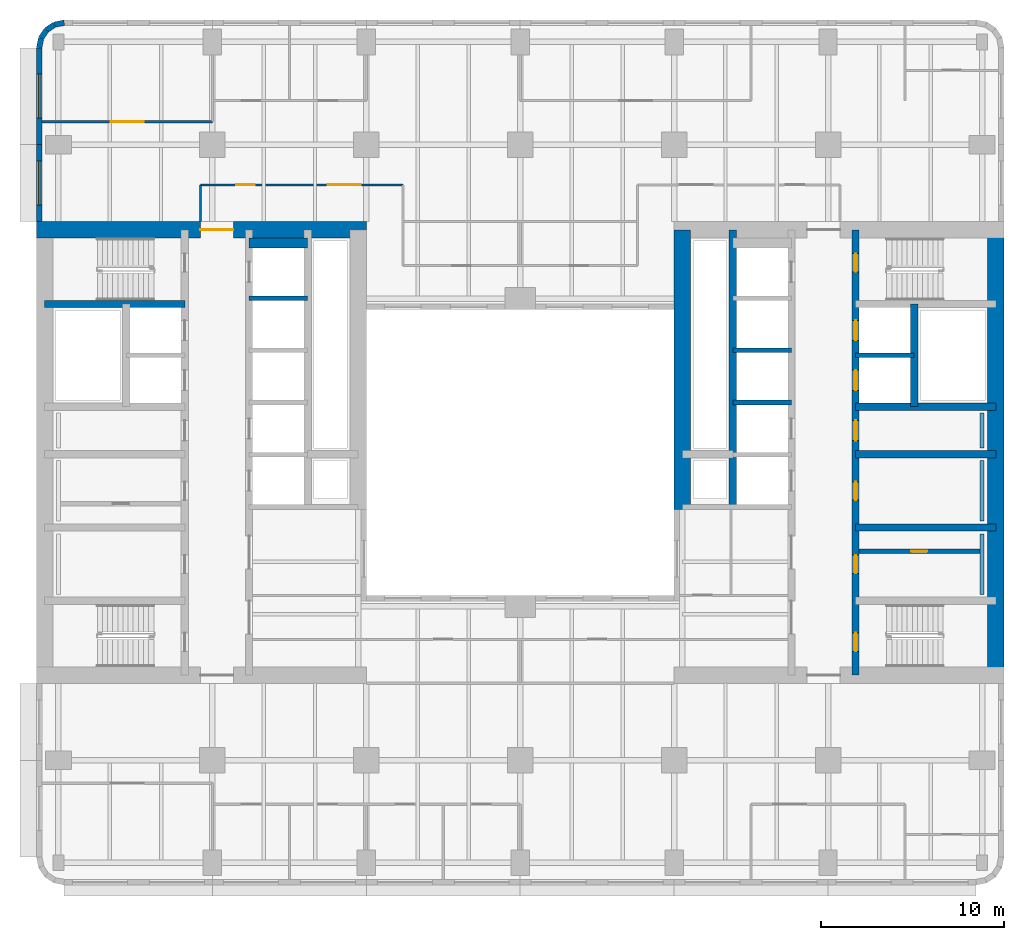
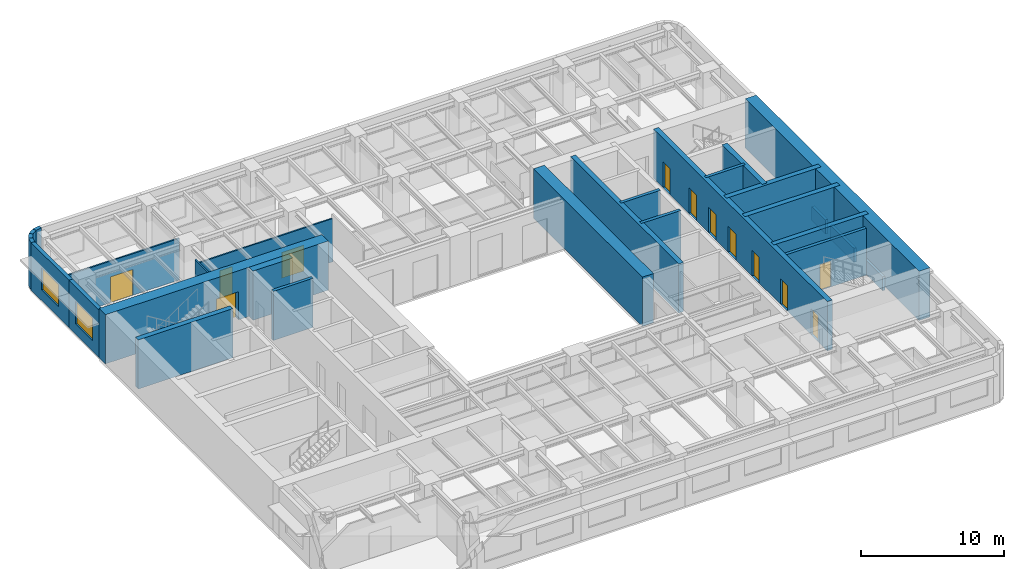
# One storey, part 6 of 11: 28 walls, 12 doors, 2 windows, 14 openings.
"""IFC4 building model written with IfcOpenShell, lengths in metres."""

from ifc_helpers import new_model, si_unit, direction, frame, frame_2d, origin, place, context, subcontext, project, spatial, rectangle, extrude, material, layer, layer_set, type_object, element, fill, save


model = new_model("IFC4")

# Units and contexts
model_context = context("Model", 3, precision=1e-05, world=origin(), true_north=direction((0.0, 1.0)))
body_context = subcontext(model_context, "Body", "Model", "MODEL_VIEW")
ifc_project = project(units=[si_unit("LENGTHUNIT", "METRE"), si_unit("AREAUNIT", "SQUARE_METRE"), si_unit("VOLUMEUNIT", "CUBIC_METRE"), si_unit("PLANEANGLEUNIT", "RADIAN"), si_unit("MASSUNIT", "GRAM", prefix="KILO")], contexts=[model_context])

# Site, building, storey
site_placement = place(None, origin())
site = spatial("IfcSite", under=ifc_project, at=site_placement, CompositionType="ELEMENT")
building_placement = place(site_placement, origin())
building = spatial("IfcBuilding", under=site, at=building_placement, Name="Claustro Exchange Tower", CompositionType="ELEMENT")
storey_placement = place(building_placement, frame((0.0, 0.0, 113.39990234375)))
storey = spatial("IfcBuildingStorey", under=building, at=storey_placement, Name="L25", CompositionType="ELEMENT", Elevation=113.39990234375)

# Wall, opening, door
ifc_material_1 = material(Name="Laminated glass in aluminium frame", Category="aluminium")
ifc_layer_1 = layer(ifc_material_1, 0.1201171875)
ifc_layer_set_1 = layer_set([ifc_layer_1], Name="Laminated glass in aluminium frame")
wall_type_1 = type_object("IfcWallType", Name="P2 120 glazed partition", PredefinedType="PARTITIONING", material=ifc_layer_set_1)
wall_1_placement = place(storey_placement, frame((-0.902099609375, 43.25, 0.0), z_axis=(0.0, 0.0, 1.0), x_axis=(1.0, 0.0, 0.0)))
wall_1 = element("IfcWall", 1, at=wall_1_placement, inside=storey, type_object=wall_type_1, Name="Partition P2 L25", PredefinedType="PARTITIONING", context=body_context, shape_type="SweptSolid", body=[
    extrude(rectangle(XDim=9.302001953125, YDim=0.1201171875, at=frame_2d((4.65087890625, 0.0))), origin(), (0.0, 0.0, 1.0), 3.550048828125),
])
opening_1_placement = place(wall_1_placement, frame((3.751953125, 0.0, 0.0)))
opening_1 = element("IfcOpeningElement", 2, at=opening_1_placement, cuts=wall_1, Name="Opening D2", PredefinedType="OPENING", context=body_context, shape_type="SweptSolid", body=[
    extrude(rectangle(XDim=1.800048828125, YDim=2.199951171875, at=frame_2d((0.89990234375, 1.10009765625))), frame((0.0, 0.070068359375, 0.0), z_axis=(0.0, -1.0, 0.0), x_axis=(1.0, 0.0, 0.0)), (0.0, 0.0, 1.0), 0.14013671875),
])
ifc_material_2 = material(Name="Timber door, oak veneer", Category="wood")
door_type_1 = type_object("IfcDoorType", Name="D2 1800 x 2200 double door", OperationType="DOUBLE_DOOR_SINGLE_SWING", PredefinedType="DOOR", material=ifc_material_2)
door_1_placement = place(opening_1_placement, origin())
door_1 = element("IfcDoor", 3, at=door_1_placement, inside=storey, type_object=door_type_1, Name="Double door D2 L25", OperationType="DOUBLE_DOOR_SINGLE_SWING", OverallHeight=2.199951171875, OverallWidth=1.800048828125, PredefinedType="DOOR", context=body_context, shape_type="SweptSolid", body=[
    extrude(rectangle(XDim=1.800048828125, YDim=2.199951171875, at=frame_2d((0.89990234375, 1.10009765625))), frame((0.0, 0.02490234375, 0.0), z_axis=(0.0, -1.0, 0.0), x_axis=(1.0, 0.0, 0.0)), (0.0, 0.0, 1.0), 0.050048828125),
])
fill(opening_1, door_1)

# Wall, openings, doors
wall_2_placement = place(storey_placement, frame((7.75, 39.800048828125, 0.0), z_axis=(0.0, 0.0, 1.0), x_axis=(1.0, 0.0, 0.0)))
wall_2 = element("IfcWall", 4, at=wall_2_placement, inside=storey, type_object=wall_type_1, Name="Partition P2 L25", PredefinedType="PARTITIONING", context=body_context, shape_type="SweptSolid", body=[
    extrude(rectangle(XDim=11.050048828125, YDim=0.1201171875, at=frame_2d((5.52490234375, 0.0))), origin(), (0.0, 0.0, 1.0), 3.690185546875),
])
opening_2_placement = place(wall_2_placement, frame((1.949951171875, 0.0, 0.0)))
opening_2 = element("IfcOpeningElement", 5, at=opening_2_placement, cuts=wall_2, Name="Opening D7", PredefinedType="OPENING", context=body_context, shape_type="SweptSolid", body=[
    extrude(rectangle(XDim=1.0, YDim=2.39990234375, at=frame_2d((0.5, 1.199951171875))), frame((0.0, 0.070068359375, 0.0), z_axis=(0.0, -1.0, 0.0), x_axis=(1.0, 0.0, 0.0)), (0.0, 0.0, 1.0), 0.14013671875),
])
opening_3_placement = place(wall_2_placement, frame((6.949951171875, 0.0, 0.0)))
opening_3 = element("IfcOpeningElement", 6, at=opening_3_placement, cuts=wall_2, Name="Opening D2", PredefinedType="OPENING", context=body_context, shape_type="SweptSolid", body=[
    extrude(rectangle(XDim=1.800048828125, YDim=2.199951171875, at=frame_2d((0.89990234375, 1.10009765625))), frame((0.0, 0.070068359375, 0.0), z_axis=(0.0, -1.0, 0.0), x_axis=(1.0, 0.0, 0.0)), (0.0, 0.0, 1.0), 0.14013671875),
])
door_2_placement = place(opening_3_placement, origin())
door_2 = element("IfcDoor", 7, at=door_2_placement, inside=storey, type_object=door_type_1, Name="Double door D2 L25", OperationType="DOUBLE_DOOR_SINGLE_SWING", OverallHeight=2.199951171875, OverallWidth=1.800048828125, PredefinedType="DOOR", context=body_context, shape_type="SweptSolid", body=[
    extrude(rectangle(XDim=1.800048828125, YDim=2.199951171875, at=frame_2d((0.89990234375, 1.10009765625))), frame((0.0, 0.02490234375, 0.0), z_axis=(0.0, -1.0, 0.0), x_axis=(1.0, 0.0, 0.0)), (0.0, 0.0, 1.0), 0.050048828125),
])
fill(opening_3, door_2)
ifc_material_3 = material(Name="Glass door in aluminium frame", Category="aluminium")
door_type_2 = type_object("IfcDoorType", Name="D7 1000 x 2400 glazed door", OperationType="SINGLE_SWING_LEFT", PredefinedType="DOOR", material=ifc_material_3)
door_3_placement = place(opening_2_placement, origin())
door_3 = element("IfcDoor", 8, at=door_3_placement, inside=storey, type_object=door_type_2, Name="Door D7 L25", OperationType="SINGLE_SWING_LEFT", OverallHeight=2.39990234375, OverallWidth=1.0, PredefinedType="DOOR", context=body_context, shape_type="SweptSolid", body=[
    extrude(rectangle(XDim=1.0, YDim=2.39990234375, at=frame_2d((0.5, 1.199951171875))), frame((0.0, 0.02490234375, 0.0), z_axis=(0.0, -1.0, 0.0), x_axis=(1.0, 0.0, 0.0)), (0.0, 0.0, 1.0), 0.050048828125),
])
fill(opening_2, door_3)

# Wall
wall_3_placement = place(storey_placement, frame((7.75, 37.800048828125, 0.0), z_axis=(0.0, 0.0, 1.0), x_axis=(0.0, 1.0, 0.0)))
element("IfcWall", 9, at=wall_3_placement, inside=storey, type_object=wall_type_1, Name="Partition P2 L25", PredefinedType="PARTITIONING", context=body_context, shape_type="SweptSolid", body=[
    extrude(rectangle(XDim=2.0, YDim=0.1201171875, at=frame_2d((1.0, 0.0))), origin(), (0.0, 0.0, 1.0), 4.050048828125),
])

# Wall, opening, door
ifc_material_4 = material(Name="Concrete blockwork, rendered", Category="masonry")
ifc_layer_2 = layer(ifc_material_4, 0.25)
ifc_layer_set_2 = layer_set([ifc_layer_2], Name="Concrete blockwork, rendered")
wall_type_2 = type_object("IfcWallType", Name="P4 250 blockwork wall", PredefinedType="PARTITIONING", material=ifc_layer_set_2)
wall_4_placement = place(storey_placement, frame((43.699951171875, 19.800048828125, 0.0), z_axis=(0.0, 0.0, 1.0), x_axis=(1.0, 0.0, 0.0)))
wall_4 = element("IfcWall", 10, at=wall_4_placement, inside=storey, type_object=wall_type_2, Name="Partition P4 L25", PredefinedType="PARTITIONING", context=body_context, shape_type="SweptSolid", body=[
    extrude(rectangle(XDim=6.60009765625, YDim=0.25, at=frame_2d((3.300048828125, 0.0))), origin(), (0.0, 0.0, 1.0), 4.0),
])
opening_4_placement = place(wall_4_placement, frame((2.824951171875, 0.0, 0.0)))
opening_4 = element("IfcOpeningElement", 11, at=opening_4_placement, cuts=wall_4, Name="Opening D5", PredefinedType="OPENING", context=body_context, shape_type="SweptSolid", body=[
    extrude(rectangle(XDim=0.89990234375, YDim=2.199951171875, at=frame_2d((0.449951171875, 1.10009765625))), frame((0.0, 0.135009765625, 0.0), z_axis=(0.0, -1.0, 0.0), x_axis=(1.0, 0.0, 0.0)), (0.0, 0.0, 1.0), 0.27001953125),
])
ifc_material_5 = material(Name="Steel door, painted", Category="steel")
door_type_3 = type_object("IfcDoorType", Name="D5 900 x 2200 store door", OperationType="SINGLE_SWING_LEFT", PredefinedType="DOOR", material=ifc_material_5)
door_4_placement = place(opening_4_placement, origin())
door_4 = element("IfcDoor", 12, at=door_4_placement, inside=storey, type_object=door_type_3, Name="Store door D5 L25", OperationType="SINGLE_SWING_RIGHT", OverallHeight=2.199951171875, OverallWidth=0.89990234375, PredefinedType="DOOR", context=body_context, shape_type="SweptSolid", body=[
    extrude(rectangle(XDim=0.89990234375, YDim=2.199951171875, at=frame_2d((0.449951171875, 1.10009765625))), frame((0.0, 0.02490234375, 0.0), z_axis=(0.0, -1.0, 0.0), x_axis=(1.0, 0.0, 0.0)), (0.0, 0.0, 1.0), 0.050048828125),
])
fill(opening_4, door_4)

# Wall, opening, window
ifc_material_6 = material(Name="Concrete HA-40 (C40/50), precast, white cement, acid-etched", Category="concrete")
ifc_layer_3 = layer(ifc_material_6, 0.300048828125)
ifc_layer_set_3 = layer_set([ifc_layer_3], Name="Concrete HA-40 (C40/50), precast, white cement, acid-etched")
wall_type_3 = type_object("IfcWallType", Name="PC1 300 precast concrete pier panel", PredefinedType="SOLIDWALL", material=ifc_layer_set_3)
wall_5_placement = place(storey_placement, frame((-1.050048828125, 37.800048828125, 0.0), z_axis=(0.0, 0.0, 1.0), x_axis=(0.0, 1.0, 0.0)))
wall_5 = element("IfcWall", 13, at=wall_5_placement, inside=storey, type_object=wall_type_3, Name="Precast pier panel PC1 L25", PredefinedType="SOLIDWALL", context=body_context, shape_type="SweptSolid", body=[
    extrude(rectangle(XDim=4.199951171875, YDim=0.300048828125, at=frame_2d((2.10009765625, 0.0))), origin(), (0.0, 0.0, 1.0), 4.050048828125),
])
opening_5_placement = place(wall_5_placement, frame((0.89990234375, 0.0, 0.89990234375)))
opening_5 = element("IfcOpeningElement", 14, at=opening_5_placement, cuts=wall_5, Name="Opening W2", PredefinedType="OPENING", context=body_context, shape_type="SweptSolid", body=[
    extrude(rectangle(XDim=2.39990234375, YDim=1.89990234375, at=frame_2d((1.199951171875, 0.949951171875))), frame((0.0, 0.159912109375, 0.0), z_axis=(0.0, -1.0, 0.0), x_axis=(1.0, 0.0, 0.0)), (0.0, 0.0, 1.0), 0.320068359375),
])
ifc_material_7 = material(Name="Aluminium frame, clear double glazing", Category="aluminium")
window_type = type_object("IfcWindowType", Name="W2 2400 x 1900 window", PartitioningType="SINGLE_PANEL", PredefinedType="WINDOW", material=ifc_material_7)
window_1_placement = place(opening_5_placement, origin())
window_1 = element("IfcWindow", 15, at=window_1_placement, inside=storey, type_object=window_type, Name="Window W2 L25", OverallHeight=1.89990234375, OverallWidth=2.39990234375, PartitioningType="SINGLE_PANEL", PredefinedType="WINDOW", context=body_context, shape_type="SweptSolid", body=[
    extrude(rectangle(XDim=2.39990234375, YDim=1.89990234375, at=frame_2d((1.199951171875, 0.949951171875))), frame((0.0, 0.030029296875, 0.0), z_axis=(0.0, -1.0, 0.0), x_axis=(1.0, 0.0, 0.0)), (0.0, 0.0, 1.0), 0.06005859375),
])
fill(opening_5, window_1)

wall_6_placement = place(storey_placement, frame((-1.050048828125, 42.0, 0.0), z_axis=(0.0, 0.0, 1.0), x_axis=(0.0, 1.0, 0.0)))
wall_6 = element("IfcWall", 16, at=wall_6_placement, inside=storey, type_object=wall_type_3, Name="Precast pier panel PC1 L25", PredefinedType="SOLIDWALL", context=body_context, shape_type="SweptSolid", body=[
    extrude(rectangle(XDim=5.28515625, YDim=0.300048828125, at=frame_2d((2.642578125, 0.0))), origin(), (0.0, 0.0, 1.0), 4.050048828125),
])
opening_6_placement = place(wall_6_placement, frame((1.442626953125, 0.0, 0.89990234375)))
opening_6 = element("IfcOpeningElement", 17, at=opening_6_placement, cuts=wall_6, Name="Opening W2", PredefinedType="OPENING", context=body_context, shape_type="SweptSolid", body=[
    extrude(rectangle(XDim=2.39990234375, YDim=1.89990234375, at=frame_2d((1.199951171875, 0.949951171875))), frame((0.0, 0.159912109375, 0.0), z_axis=(0.0, -1.0, 0.0), x_axis=(1.0, 0.0, 0.0)), (0.0, 0.0, 1.0), 0.320068359375),
])
window_2_placement = place(opening_6_placement, origin())
window_2 = element("IfcWindow", 18, at=window_2_placement, inside=storey, type_object=window_type, Name="Window W2 L25", OverallHeight=1.89990234375, OverallWidth=2.39990234375, PartitioningType="SINGLE_PANEL", PredefinedType="WINDOW", context=body_context, shape_type="SweptSolid", body=[
    extrude(rectangle(XDim=2.39990234375, YDim=1.89990234375, at=frame_2d((1.199951171875, 0.949951171875))), frame((0.0, 0.030029296875, 0.0), z_axis=(0.0, -1.0, 0.0), x_axis=(1.0, 0.0, 0.0)), (0.0, 0.0, 1.0), 0.06005859375),
])
fill(opening_6, window_2)

# Walls
wall_7_placement = place(storey_placement, frame((-1.050048828125, 47.28515625, 0.0), z_axis=(0.0, 0.0, 1.0), x_axis=(0.195073962632, 0.980788534345, 0.0)))
element("IfcWall", 19, at=wall_7_placement, inside=storey, type_object=wall_type_3, Name="Precast pier panel PC1 L25", PredefinedType="SOLIDWALL", context=body_context, shape_type="SweptSolid", body=[
    extrude(rectangle(XDim=0.540771484375, YDim=0.300048828125, at=frame_2d((0.2705078125, 0.0))), origin(), (0.0, 0.0, 1.0), 4.050048828125),
])
wall_8_placement = place(storey_placement, frame((-0.944580078125, 47.8154296875, 0.0), z_axis=(0.0, 0.0, 1.0), x_axis=(0.55534295404, 0.831621430339, 0.0)))
element("IfcWall", 20, at=wall_8_placement, inside=storey, type_object=wall_type_3, Name="Precast pier panel PC1 L25", PredefinedType="SOLIDWALL", context=body_context, shape_type="SweptSolid", body=[
    extrude(rectangle(XDim=0.52587890625, YDim=0.300048828125, at=frame_2d((0.262939453125, 0.0))), origin(), (0.0, 0.0, 1.0), 4.050048828125),
])
wall_9_placement = place(storey_placement, frame((-0.652587890625, 48.252685546875, 0.0), z_axis=(0.0, 0.0, 1.0), x_axis=(0.831692711774, 0.555236195849, 0.0)))
element("IfcWall", 21, at=wall_9_placement, inside=storey, type_object=wall_type_3, Name="Precast pier panel PC1 L25", PredefinedType="SOLIDWALL", context=body_context, shape_type="SweptSolid", body=[
    extrude(rectangle(XDim=0.525390625, YDim=0.300048828125, at=frame_2d((0.2626953125, 0.0))), origin(), (0.0, 0.0, 1.0), 4.050048828125),
])
wall_10_placement = place(storey_placement, frame((-0.215576171875, 48.54443359375, 0.0), z_axis=(0.0, 0.0, 1.0), x_axis=(0.980788534345, 0.195073962632, 0.0)))
element("IfcWall", 22, at=wall_10_placement, inside=storey, type_object=wall_type_3, Name="Precast pier panel PC1 L25", PredefinedType="SOLIDWALL", context=body_context, shape_type="SweptSolid", body=[
    extrude(rectangle(XDim=0.540771484375, YDim=0.300048828125, at=frame_2d((0.2705078125, 0.0))), origin(), (0.0, 0.0, 1.0), 4.050048828125),
])
ifc_material_8 = material(Name="Gypsum board on steel studs, tiled", Category="steel")
ifc_layer_4 = layer(ifc_material_8, 0.199951171875)
ifc_layer_set_4 = layer_set([ifc_layer_4], Name="Gypsum board on steel studs, tiled")
wall_type_4 = type_object("IfcWallType", Name="PW1 200 WC duct wall", PredefinedType="PLUMBINGWALL", material=ifc_layer_set_4)
for number, where, z_axis, x_axis, name in (
    (23, (50.39990234375, 17.449951171875, 0.0), (0.0, 0.0, 1.0), (0.0, 1.0, 0.0), "WC duct wall PW1 L25"),
    (24, (50.39990234375, 21.449951171875, 0.0), (0.0, 0.0, 1.0), (0.0, 1.0, 0.0), "WC duct wall PW1 L25"),
):
    element("IfcWall", number, at=place(storey_placement, frame(where, z_axis=z_axis, x_axis=x_axis)), inside=storey, type_object=wall_type_4, Name=name, PredefinedType="PLUMBINGWALL", context=body_context, shape_type="SweptSolid", body=[
        extrude(rectangle(XDim=3.300048828125, YDim=0.199951171875, at=frame_2d((1.64990234375, 0.0))), origin(), (0.0, 0.0, 1.0), 1.2001953125),
    ])
wall_11_placement = place(storey_placement, frame((50.39990234375, 25.449951171875, 0.0), z_axis=(0.0, 0.0, 1.0), x_axis=(0.0, 1.0, 0.0)))
element("IfcWall", 25, at=wall_11_placement, inside=storey, type_object=wall_type_4, Name="WC duct wall PW1 L25", PredefinedType="PLUMBINGWALL", context=body_context, shape_type="SweptSolid", body=[
    extrude(rectangle(XDim=1.900146484375, YDim=0.199951171875, at=frame_2d((0.9501953125, 0.0))), origin(), (0.0, 0.0, 1.0), 1.2001953125),
])

# Wall, opening, door
ifc_material_9 = material(Name="Concrete HA-70 (C70/85)", Category="concrete")
ifc_layer_5 = layer(ifc_material_9, 0.89990234375)
ifc_layer_set_5 = layer_set([ifc_layer_5], Name="Concrete HA-70 (C70/85)")
wall_type_5 = type_object("IfcWallType", Name="SW1 900 core shear wall", PredefinedType="SHEAR", material=ifc_layer_set_5)
wall_12_placement = place(storey_placement, frame((-1.199951171875, 37.35009765625, 0.0), z_axis=(0.0, 0.0, 1.0), x_axis=(1.0, 0.0, 0.0)))
wall_12 = element("IfcWall", 26, at=wall_12_placement, inside=storey, type_object=wall_type_5, Name="Core wall SW1 W core N face L25", PredefinedType="SHEAR", context=body_context, shape_type="SweptSolid", body=[
    extrude(rectangle(XDim=18.0, YDim=0.89990234375, at=frame_2d((9.0, 0.0))), origin(), (0.0, 0.0, 1.0), 4.2001953125),
])
opening_7_placement = place(wall_12_placement, frame((8.949951171875, 0.0, 0.0)))
opening_7 = element("IfcOpeningElement", 27, at=opening_7_placement, cuts=wall_12, Name="Opening D3", PredefinedType="OPENING", context=body_context, shape_type="SweptSolid", body=[
    extrude(rectangle(XDim=1.800048828125, YDim=2.39990234375, at=frame_2d((0.89990234375, 1.199951171875))), frame((0.0, 0.4599609375, 0.0), z_axis=(0.0, -1.0, 0.0), x_axis=(1.0, 0.0, 0.0)), (0.0, 0.0, 1.0), 0.919921875),
])
ifc_material_10 = material(Name="Steel fire door, painted", Category="steel")
door_type_4 = type_object("IfcDoorType", Name="D3 1800 x 2400 fire-rated lobby double door", OperationType="DOUBLE_DOOR_SINGLE_SWING", PredefinedType="DOOR", material=ifc_material_10)
door_5_placement = place(opening_7_placement, frame((1.800048828125, 0.0, 0.0), z_axis=(0.0, 0.0, 1.0), x_axis=(-1.0, 0.0, 0.0)))
door_5 = element("IfcDoor", 28, at=door_5_placement, inside=storey, type_object=door_type_4, Name="Lift lobby door D3 L25", OperationType="DOUBLE_DOOR_SINGLE_SWING", OverallHeight=2.39990234375, OverallWidth=1.800048828125, PredefinedType="DOOR", context=body_context, shape_type="SweptSolid", body=[
    extrude(rectangle(XDim=1.800048828125, YDim=2.39990234375, at=frame_2d((0.89990234375, 1.199951171875))), frame((0.0, 0.02490234375, 0.0), z_axis=(0.0, -1.0, 0.0), x_axis=(1.0, 0.0, 0.0)), (0.0, 0.0, 1.0), 0.050048828125),
])
fill(opening_7, door_5)

# Walls
ifc_material_11 = material(Name="Concrete HA-70 (C70/85)", Category="concrete")
ifc_layer_6 = layer(ifc_material_11, 0.89990234375)
ifc_layer_set_6 = layer_set([ifc_layer_6], Name="Concrete HA-70 (C70/85)")
wall_type_6 = type_object("IfcWallType", Name="SW1X 900 exposed core shear wall, board-marked face", PredefinedType="SHEAR", material=ifc_layer_set_6)
wall_13_placement = place(storey_placement, frame((34.050048828125, 22.10009765625, 0.0), z_axis=(0.0, 0.0, 1.0), x_axis=(0.0, 1.0, 0.0)))
element("IfcWall", 29, at=wall_13_placement, inside=storey, type_object=wall_type_6, Name="Core wall SW1X E core W face L25", PredefinedType="SHEAR", context=body_context, shape_type="SweptSolid", body=[
    extrude(rectangle(XDim=15.25, YDim=0.89990234375, at=frame_2d((7.625, 0.0))), origin(), (0.0, 0.0, 1.0), 4.2001953125),
])
wall_14_placement = place(storey_placement, frame((51.14990234375, 13.050048828125, 0.0), z_axis=(0.0, 0.0, 1.0), x_axis=(0.0, 1.0, 0.0)))
element("IfcWall", 30, at=wall_14_placement, inside=storey, type_object=wall_type_6, Name="Core wall SW1X E core E face L25", PredefinedType="SHEAR", context=body_context, shape_type="SweptSolid", body=[
    extrude(rectangle(XDim=24.300048828125, YDim=0.89990234375, at=frame_2d((12.14990234375, 0.0))), origin(), (0.0, 0.0, 1.0), 4.2001953125),
])
ifc_material_12 = material(Name="Concrete HA-50 (C50/60)", Category="concrete")
ifc_layer_7 = layer(ifc_material_12, 0.39990234375)
ifc_layer_set_7 = layer_set([ifc_layer_7], Name="Concrete HA-50 (C50/60)")
wall_type_7 = type_object("IfcWallType", Name="SW4 400 internal core wall", PredefinedType="SHEAR", material=ifc_layer_set_7)
wall_15_placement = place(storey_placement, frame((-0.75, 33.300048828125, 0.0), z_axis=(0.0, 0.0, 1.0), x_axis=(1.0, 0.0, 0.0)))
element("IfcWall", 31, at=wall_15_placement, inside=storey, type_object=wall_type_7, Name="Internal core wall SW4 W core L25", PredefinedType="SHEAR", context=body_context, shape_type="SweptSolid", body=[
    extrude(rectangle(XDim=7.64990234375, YDim=0.39990234375, at=frame_2d((3.824951171875, 0.0))), origin(), (0.0, 0.0, 1.0), 4.2001953125),
])

# Wall, openings, doors
wall_16_placement = place(storey_placement, frame((43.5, 13.050048828125, 0.0), z_axis=(0.0, 0.0, 1.0), x_axis=(0.0, 1.0, 0.0)))
wall_16 = element("IfcWall", 32, at=wall_16_placement, inside=storey, type_object=wall_type_7, Name="Internal core wall SW4 E core L25", PredefinedType="SHEAR", context=body_context, shape_type="SweptSolid", body=[
    extrude(rectangle(XDim=24.300048828125, YDim=0.39990234375, at=frame_2d((12.14990234375, 0.0))), origin(), (0.0, 0.0, 1.0), 4.2001953125),
])
opening_8_placement = place(wall_16_placement, frame((1.300048828125, 0.0, 0.0)))
opening_8 = element("IfcOpeningElement", 33, at=opening_8_placement, cuts=wall_16, Name="Opening D4", PredefinedType="OPENING", context=body_context, shape_type="SweptSolid", body=[
    extrude(rectangle(XDim=1.0, YDim=2.199951171875, at=frame_2d((0.5, 1.10009765625))), frame((0.0, 0.2099609375, 0.0), z_axis=(0.0, -1.0, 0.0), x_axis=(1.0, 0.0, 0.0)), (0.0, 0.0, 1.0), 0.419921875),
])
opening_9_placement = place(wall_16_placement, frame((22.0, 0.0, 0.0)))
opening_9 = element("IfcOpeningElement", 34, at=opening_9_placement, cuts=wall_16, Name="Opening D4", PredefinedType="OPENING", context=body_context, shape_type="SweptSolid", body=[
    extrude(rectangle(XDim=1.0, YDim=2.199951171875, at=frame_2d((0.5, 1.10009765625))), frame((0.0, 0.2099609375, 0.0), z_axis=(0.0, -1.0, 0.0), x_axis=(1.0, 0.0, 0.0)), (0.0, 0.0, 1.0), 0.419921875),
])
opening_10_placement = place(wall_16_placement, frame((5.550048828125, 0.0, 0.0)))
opening_10 = element("IfcOpeningElement", 35, at=opening_10_placement, cuts=wall_16, Name="Opening D1", PredefinedType="OPENING", context=body_context, shape_type="SweptSolid", body=[
    extrude(rectangle(XDim=1.0, YDim=2.199951171875, at=frame_2d((0.5, 1.10009765625))), frame((0.0, 0.2099609375, 0.0), z_axis=(0.0, -1.0, 0.0), x_axis=(1.0, 0.0, 0.0)), (0.0, 0.0, 1.0), 0.419921875),
])
opening_11_placement = place(wall_16_placement, frame((9.550048828125, 0.0, 0.0)))
opening_11 = element("IfcOpeningElement", 36, at=opening_11_placement, cuts=wall_16, Name="Opening D1", PredefinedType="OPENING", context=body_context, shape_type="SweptSolid", body=[
    extrude(rectangle(XDim=1.0, YDim=2.199951171875, at=frame_2d((0.5, 1.10009765625))), frame((0.0, 0.2099609375, 0.0), z_axis=(0.0, -1.0, 0.0), x_axis=(1.0, 0.0, 0.0)), (0.0, 0.0, 1.0), 0.419921875),
])
opening_12_placement = place(wall_16_placement, frame((12.800048828125, 0.0, 0.0)))
opening_12 = element("IfcOpeningElement", 37, at=opening_12_placement, cuts=wall_16, Name="Opening D10", PredefinedType="OPENING", context=body_context, shape_type="SweptSolid", body=[
    extrude(rectangle(XDim=1.10009765625, YDim=2.199951171875, at=frame_2d((0.550048828125, 1.10009765625))), frame((0.0, 0.2099609375, 0.0), z_axis=(0.0, -1.0, 0.0), x_axis=(1.0, 0.0, 0.0)), (0.0, 0.0, 1.0), 0.419921875),
])
opening_13_placement = place(wall_16_placement, frame((15.53759765625, 0.0, 0.0)))
opening_13 = element("IfcOpeningElement", 38, at=opening_13_placement, cuts=wall_16, Name="Opening LD", PredefinedType="OPENING", context=body_context, shape_type="SweptSolid", body=[
    extrude(rectangle(XDim=1.10009765625, YDim=2.199951171875, at=frame_2d((0.550048828125, 1.10009765625))), frame((0.0, 0.2099609375, 0.0), z_axis=(0.0, -1.0, 0.0), x_axis=(1.0, 0.0, 0.0)), (0.0, 0.0, 1.0), 0.419921875),
])
opening_14_placement = place(wall_16_placement, frame((18.262451171875, 0.0, 0.0)))
opening_14 = element("IfcOpeningElement", 39, at=opening_14_placement, cuts=wall_16, Name="Opening LD", PredefinedType="OPENING", context=body_context, shape_type="SweptSolid", body=[
    extrude(rectangle(XDim=1.10009765625, YDim=2.199951171875, at=frame_2d((0.550048828125, 1.10009765625))), frame((0.0, 0.2099609375, 0.0), z_axis=(0.0, -1.0, 0.0), x_axis=(1.0, 0.0, 0.0)), (0.0, 0.0, 1.0), 0.419921875),
])
ifc_material_13 = material(Name="Timber door, oak veneer", Category="wood")
door_type_5 = type_object("IfcDoorType", Name="D1 1000 x 2200 single door", OperationType="SINGLE_SWING_LEFT", PredefinedType="DOOR", material=ifc_material_13)
door_6_placement = place(opening_10_placement, frame((1.0, 0.0, 0.0), z_axis=(0.0, 0.0, 1.0), x_axis=(-1.0, 0.0, 0.0)))
door_6 = element("IfcDoor", 40, at=door_6_placement, inside=storey, type_object=door_type_5, Name="Door D1 L25", OperationType="SINGLE_SWING_LEFT", OverallHeight=2.199951171875, OverallWidth=1.0, PredefinedType="DOOR", context=body_context, shape_type="SweptSolid", body=[
    extrude(rectangle(XDim=1.0, YDim=2.199951171875, at=frame_2d((0.5, 1.10009765625))), frame((0.0, 0.02490234375, 0.0), z_axis=(0.0, -1.0, 0.0), x_axis=(1.0, 0.0, 0.0)), (0.0, 0.0, 1.0), 0.050048828125),
])
fill(opening_10, door_6)
door_7_placement = place(opening_11_placement, frame((1.0, 0.0, 0.0), z_axis=(0.0, 0.0, 1.0), x_axis=(-1.0, 0.0, 0.0)))
door_7 = element("IfcDoor", 41, at=door_7_placement, inside=storey, type_object=door_type_5, Name="Door D1 L25", OperationType="SINGLE_SWING_LEFT", OverallHeight=2.199951171875, OverallWidth=1.0, PredefinedType="DOOR", context=body_context, shape_type="SweptSolid", body=[
    extrude(rectangle(XDim=1.0, YDim=2.199951171875, at=frame_2d((0.5, 1.10009765625))), frame((0.0, 0.02490234375, 0.0), z_axis=(0.0, -1.0, 0.0), x_axis=(1.0, 0.0, 0.0)), (0.0, 0.0, 1.0), 0.050048828125),
])
fill(opening_11, door_7)
ifc_material_14 = material(Name="Timber door, oak veneer", Category="wood")
door_type_6 = type_object("IfcDoorType", Name="D10 1100 x 2200 accessible WC door", OperationType="SINGLE_SWING_LEFT", PredefinedType="DOOR", material=ifc_material_14)
door_8_placement = place(opening_12_placement, origin())
door_8 = element("IfcDoor", 42, at=door_8_placement, inside=storey, type_object=door_type_6, Name="Accessible WC door D10 L25", OperationType="SINGLE_SWING_RIGHT", OverallHeight=2.199951171875, OverallWidth=1.10009765625, PredefinedType="DOOR", context=body_context, shape_type="SweptSolid", body=[
    extrude(rectangle(XDim=1.10009765625, YDim=2.199951171875, at=frame_2d((0.550048828125, 1.10009765625))), frame((0.0, 0.02490234375, 0.0), z_axis=(0.0, -1.0, 0.0), x_axis=(1.0, 0.0, 0.0)), (0.0, 0.0, 1.0), 0.050048828125),
])
fill(opening_12, door_8)
ifc_material_15 = material(Name="Steel fire door, painted", Category="steel")
door_type_7 = type_object("IfcDoorType", Name="D4 1000 x 2200 fire-rated stair door", OperationType="SINGLE_SWING_LEFT", PredefinedType="DOOR", material=ifc_material_15)
door_9_placement = place(opening_8_placement, frame((1.0, 0.0, 0.0), z_axis=(0.0, 0.0, 1.0), x_axis=(-1.0, 0.0, 0.0)))
door_9 = element("IfcDoor", 43, at=door_9_placement, inside=storey, type_object=door_type_7, Name="Stair door D4 L25", OperationType="SINGLE_SWING_RIGHT", OverallHeight=2.199951171875, OverallWidth=1.0, PredefinedType="DOOR", context=body_context, shape_type="SweptSolid", body=[
    extrude(rectangle(XDim=1.0, YDim=2.199951171875, at=frame_2d((0.5, 1.10009765625))), frame((0.0, 0.02490234375, 0.0), z_axis=(0.0, -1.0, 0.0), x_axis=(1.0, 0.0, 0.0)), (0.0, 0.0, 1.0), 0.050048828125),
])
fill(opening_8, door_9)
door_10_placement = place(opening_9_placement, frame((1.0, 0.0, 0.0), z_axis=(0.0, 0.0, 1.0), x_axis=(-1.0, 0.0, 0.0)))
door_10 = element("IfcDoor", 44, at=door_10_placement, inside=storey, type_object=door_type_7, Name="Stair door D4 L25", OperationType="SINGLE_SWING_LEFT", OverallHeight=2.199951171875, OverallWidth=1.0, PredefinedType="DOOR", context=body_context, shape_type="SweptSolid", body=[
    extrude(rectangle(XDim=1.0, YDim=2.199951171875, at=frame_2d((0.5, 1.10009765625))), frame((0.0, 0.02490234375, 0.0), z_axis=(0.0, -1.0, 0.0), x_axis=(1.0, 0.0, 0.0)), (0.0, 0.0, 1.0), 0.050048828125),
])
fill(opening_9, door_10)
ifc_material_16 = material(Name="Stainless steel sliding door", Category="steel")
door_type_8 = type_object("IfcDoorType", Name="LD 1100 x 2200 lift landing door", OperationType="DOUBLE_DOOR_SLIDING", PredefinedType="DOOR", material=ifc_material_16)
door_11_placement = place(opening_13_placement, origin())
door_11 = element("IfcDoor", 45, at=door_11_placement, inside=storey, type_object=door_type_8, Name="Lift landing door LEE1 LD L25", OperationType="DOUBLE_DOOR_SLIDING", OverallHeight=2.199951171875, OverallWidth=1.10009765625, PredefinedType="DOOR", context=body_context, shape_type="SweptSolid", body=[
    extrude(rectangle(XDim=1.10009765625, YDim=2.199951171875, at=frame_2d((0.550048828125, 1.10009765625))), frame((0.0, 0.02490234375, 0.0), z_axis=(0.0, -1.0, 0.0), x_axis=(1.0, 0.0, 0.0)), (0.0, 0.0, 1.0), 0.050048828125),
])
fill(opening_13, door_11)
door_12_placement = place(opening_14_placement, origin())
door_12 = element("IfcDoor", 46, at=door_12_placement, inside=storey, type_object=door_type_8, Name="Lift landing door LEE2 LD L25", OperationType="DOUBLE_DOOR_SLIDING", OverallHeight=2.199951171875, OverallWidth=1.10009765625, PredefinedType="DOOR", context=body_context, shape_type="SweptSolid", body=[
    extrude(rectangle(XDim=1.10009765625, YDim=2.199951171875, at=frame_2d((0.550048828125, 1.10009765625))), frame((0.0, 0.02490234375, 0.0), z_axis=(0.0, -1.0, 0.0), x_axis=(1.0, 0.0, 0.0)), (0.0, 0.0, 1.0), 0.050048828125),
])
fill(opening_14, door_12)

# Walls
wall_17_placement = place(storey_placement, frame((36.800048828125, 22.22509765625, 0.0), z_axis=(0.0, 0.0, 1.0), x_axis=(0.0, 1.0, 0.0)))
element("IfcWall", 47, at=wall_17_placement, inside=storey, type_object=wall_type_7, Name="Internal core wall SW4 E core L25", PredefinedType="SHEAR", context=body_context, shape_type="SweptSolid", body=[
    extrude(rectangle(XDim=15.125, YDim=0.39990234375, at=frame_2d((7.5625, 0.0))), origin(), (0.0, 0.0, 1.0), 4.2001953125),
])
for number, where, z_axis, x_axis, name in (
    (48, (51.14990234375, 21.10009765625, 0.0), (0.0, 0.0, 1.0), (-1.0, 0.0, 0.0), "Internal core wall SW4 E core L25"),
    (49, (51.14990234375, 25.10009765625, 0.0), (0.0, 0.0, 1.0), (-1.0, 0.0, 0.0), "Internal core wall SW4 E core L25"),
    (50, (51.14990234375, 27.699951171875, 0.0), (0.0, 0.0, 1.0), (-1.0, 0.0, 0.0), "Internal core wall SW4 E core L25"),
):
    element("IfcWall", number, at=place(storey_placement, frame(where, z_axis=z_axis, x_axis=x_axis)), inside=storey, type_object=wall_type_7, Name=name, PredefinedType="SHEAR", context=body_context, shape_type="SweptSolid", body=[
        extrude(rectangle(XDim=7.64990234375, YDim=0.39990234375, at=frame_2d((3.824951171875, 0.0))), origin(), (0.0, 0.0, 1.0), 4.2001953125),
    ])
wall_18_placement = place(storey_placement, frame((46.699951171875, 27.699951171875, 0.0), z_axis=(0.0, 0.0, 1.0), x_axis=(0.0, 1.0, 0.0)))
element("IfcWall", 51, at=wall_18_placement, inside=storey, type_object=wall_type_7, Name="Internal core wall SW4 E core L25", PredefinedType="SHEAR", context=body_context, shape_type="SweptSolid", body=[
    extrude(rectangle(XDim=5.60009765625, YDim=0.39990234375, at=frame_2d((2.800048828125, 0.0))), origin(), (0.0, 0.0, 1.0), 4.2001953125),
])
ifc_material_17 = material(Name="Concrete HA-50 (C50/60)", Category="concrete")
ifc_layer_8 = layer(ifc_material_17, 0.25)
ifc_layer_set_8 = layer_set([ifc_layer_8], Name="Concrete HA-50 (C50/60)")
wall_type_8 = type_object("IfcWallType", Name="SW5 250 lift shaft divider wall", PredefinedType="SHEAR", material=ifc_layer_set_8)
wall_19_placement = place(storey_placement, frame((10.39990234375, 33.625, 0.0), z_axis=(0.0, 0.0, 1.0), x_axis=(1.0, 0.0, 0.0)))
element("IfcWall", 52, at=wall_19_placement, inside=storey, type_object=wall_type_8, Name="Lift shaft wall W core L25", PredefinedType="SHEAR", context=body_context, shape_type="SweptSolid", body=[
    extrude(rectangle(XDim=3.2001953125, YDim=0.25, at=frame_2d((1.60009765625, 0.0))), origin(), (0.0, 0.0, 1.0), 4.2001953125),
])
for number, where, z_axis, x_axis, name in (
    (53, (46.699951171875, 30.5, 0.0), (0.0, 0.0, 1.0), (-1.0, 0.0, 0.0), "Lift shaft wall E core L25"),
    (54, (40.0, 27.925048828125, 0.0), (0.0, 0.0, 1.0), (-1.0, 0.0, 0.0), "Lift shaft wall E core L25"),
    (55, (40.0, 30.77490234375, 0.0), (0.0, 0.0, 1.0), (-1.0, 0.0, 0.0), "Lift shaft wall E core L25"),
):
    element("IfcWall", number, at=place(storey_placement, frame(where, z_axis=z_axis, x_axis=x_axis)), inside=storey, type_object=wall_type_8, Name=name, PredefinedType="SHEAR", context=body_context, shape_type="SweptSolid", body=[
        extrude(rectangle(XDim=3.199951171875, YDim=0.25, at=frame_2d((1.60009765625, 0.0))), origin(), (0.0, 0.0, 1.0), 4.2001953125),
    ])
ifc_material_18 = material(Name="Concrete HA-50 (C50/60)", Category="concrete")
ifc_layer_9 = layer(ifc_material_18, 0.550048828125)
ifc_layer_set_9 = layer_set([ifc_layer_9], Name="Concrete HA-50 (C50/60)")
wall_type_9 = type_object("IfcWallType", Name="SW6 550 lift shaft end wall", PredefinedType="SHEAR", material=ifc_layer_set_9)
wall_20_placement = place(storey_placement, frame((10.39990234375, 36.625, 0.0), z_axis=(0.0, 0.0, 1.0), x_axis=(1.0, 0.0, 0.0)))
element("IfcWall", 56, at=wall_20_placement, inside=storey, type_object=wall_type_9, Name="Lift shaft wall W core L25", PredefinedType="SHEAR", context=body_context, shape_type="SweptSolid", body=[
    extrude(rectangle(XDim=3.2001953125, YDim=0.550048828125, at=frame_2d((1.60009765625, 0.0))), origin(), (0.0, 0.0, 1.0), 4.2001953125),
])

save(model, "model.ifc")
